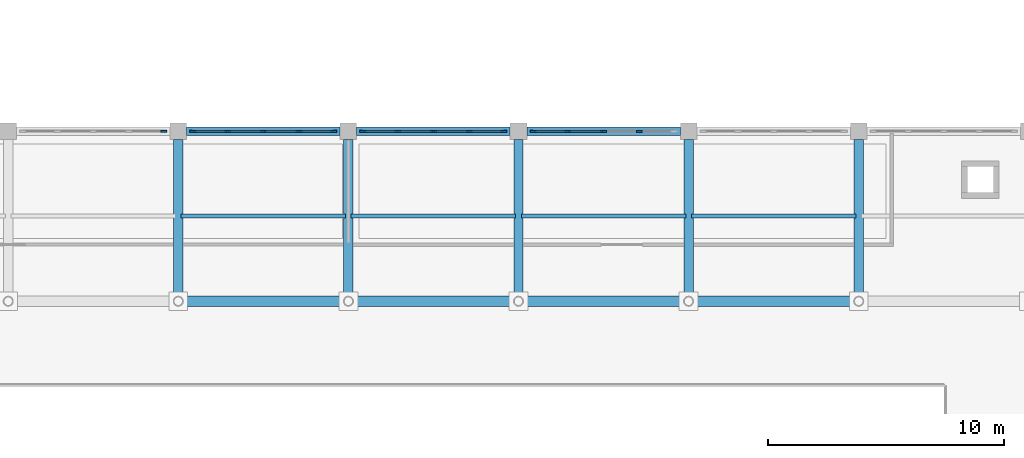
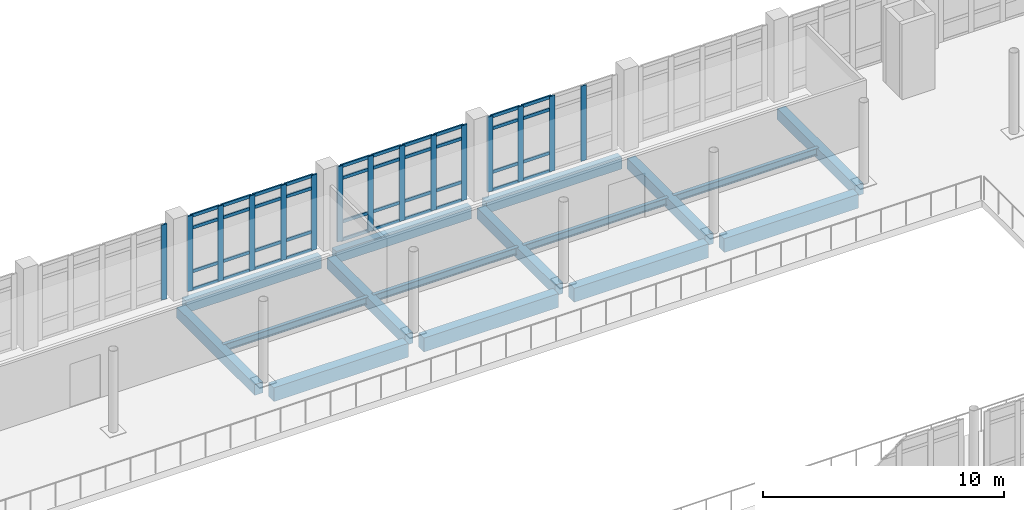
# One storey, part 20 of 62: 55 members, 16 beams, 4 elements without a shape of their own.
"""IFC4 building model written with IfcOpenShell, lengths in metres."""

from ifc_helpers import new_model, si_unit, direction, frame, origin, origin_2d, place, context, subcontext, project, spatial, rectangle, i_section, extrude, material, layer, layer_set, material_profile, profile_set, type_object, element, aggregate, save


model = new_model("IFC4")

# Units and contexts
model_context = context("Model", 3, precision=1e-05, world=origin(), true_north=direction((0.0, 1.0)))
body_context = subcontext(model_context, "Body", "Model", "MODEL_VIEW")
ifc_project = project(units=[si_unit("LENGTHUNIT", "METRE"), si_unit("AREAUNIT", "SQUARE_METRE"), si_unit("VOLUMEUNIT", "CUBIC_METRE"), si_unit("PLANEANGLEUNIT", "RADIAN"), si_unit("MASSUNIT", "GRAM", prefix="KILO")], contexts=[model_context])

# Site, building, storey
site_placement = place(None, origin())
site = spatial("IfcSite", under=ifc_project, at=site_placement, CompositionType="ELEMENT")
building_placement = place(site_placement, origin())
building = spatial("IfcBuilding", under=site, at=building_placement, Name="Valkovuoma Quantum and Materials Research Institute", CompositionType="ELEMENT")
storey_placement = place(building_placement, frame((0.0, 0.0, 8.9599609375)))
storey = spatial("IfcBuildingStorey", under=building, at=storey_placement, Name="L02", CompositionType="ELEMENT", Elevation=8.9599609375)

# Beams
ifc_material_1 = material(Name="Steel S355J2", Category="steel")
ifc_material_profile_1 = material_profile(ifc_material_1, i_section(OverallWidth=0.169921875, OverallDepth=0.360107421875, WebThickness=0.008056640625, FlangeThickness=0.0126953125, FilletRadius=0.01806640625, at=origin_2d()), Name="Steel S355J2")
ifc_profile_set_1 = profile_set([ifc_material_profile_1], Name="Steel S355J2")
beam_type_1 = type_object("IfcBeamType", Name="Beam-B-JST360", PredefinedType="JOIST", material=ifc_profile_set_1)
for number, where, z_axis, x_axis, name in (
    (1, (64.919921875, 61.199951171875, -0.530029296875), (1.0, 0.0, 0.0), (0.0, 1.0, 0.0), "L02 floor joist 1350"),
    (2, (72.1201171875, 61.199951171875, -0.530029296875), (1.0, 0.0, 0.0), (0.0, 1.0, 0.0), "L02 floor joist 1351"),
    (3, (79.320068359375, 61.199951171875, -0.530029296875), (1.0, 0.0, 0.0), (0.0, 1.0, 0.0), "L02 floor joist 1352"),
    (4, (86.52001953125, 61.199951171875, -0.530029296875), (1.0, 0.0, 0.0), (0.0, 1.0, 0.0), "L02 floor joist 1353"),
):
    element("IfcBeam", number, at=place(storey_placement, frame(where, z_axis=z_axis, x_axis=x_axis)), inside=storey, type_object=beam_type_1, Name=name, PredefinedType="JOIST", context=body_context, shape_type="SweptSolid", body=[
        extrude(i_section(OverallWidth=0.169921875, OverallDepth=0.360107421875, WebThickness=0.008056640625, FlangeThickness=0.0126953125, FilletRadius=0.01806640625, at=origin_2d()), origin(), (0.0, 0.0, 1.0), 6.9599609375),
    ])
ifc_material_2 = material(Name="Concrete C40/50", Category="concrete")
ifc_material_profile_2 = material_profile(ifc_material_2, rectangle(XDim=0.39990234375, YDim=0.550048828125, at=origin_2d()), Name="Concrete C40/50")
ifc_profile_set_2 = profile_set([ifc_material_profile_2], Name="Concrete C40/50")
beam_type_2 = type_object("IfcBeamType", Name="Beam-B-RC550", PredefinedType="BEAM", material=ifc_profile_set_2)
for number, where, z_axis, x_axis, name in (
    (5, (64.800048828125, 57.97509765625, -0.625), (0.0, 1.0, 0.0), (-1.0, 0.0, 0.0), "L02 beam Y-1212"),
    (6, (72.0, 57.97509765625, -0.625), (0.0, 1.0, 0.0), (-1.0, 0.0, 0.0), "L02 beam Y-1213"),
    (7, (79.199951171875, 57.97509765625, -0.625), (0.0, 1.0, 0.0), (-1.0, 0.0, 0.0), "L02 beam Y-1214"),
    (8, (86.39990234375, 57.97509765625, -0.625), (0.0, 1.0, 0.0), (-1.0, 0.0, 0.0), "L02 beam Y-1215"),
    (9, (93.60009765625, 57.97509765625, -0.625), (0.0, 1.0, 0.0), (-1.0, 0.0, 0.0), "L02 beam Y-1216"),
):
    element("IfcBeam", number, at=place(storey_placement, frame(where, z_axis=z_axis, x_axis=x_axis)), inside=storey, type_object=beam_type_2, Name=name, PredefinedType="BEAM", context=body_context, shape_type="SweptSolid", body=[
        extrude(rectangle(XDim=0.39990234375, YDim=0.550048828125, at=origin_2d()), origin(), (0.0, 0.0, 1.0), 6.474853515625),
    ])
ifc_material_3 = material(Name="Concrete C40/50", Category="concrete")
ifc_material_profile_3 = material_profile(ifc_material_3, rectangle(XDim=0.449951171875, YDim=0.699951171875, at=origin_2d()), Name="Concrete C40/50")
ifc_profile_set_3 = profile_set([ifc_material_profile_3], Name="Concrete C40/50")
beam_type_3 = type_object("IfcBeamType", Name="Beam-B-RC700", PredefinedType="BEAM", material=ifc_profile_set_3)
for number, where, z_axis, x_axis, name in (
    (10, (65.175048828125, 57.60009765625, -0.699951171875), (1.0, 0.0, 0.0), (0.0, 1.0, 0.0), "L02 beam X-1054"),
    (11, (72.375, 57.60009765625, -0.699951171875), (1.0, 0.0, 0.0), (0.0, 1.0, 0.0), "L02 beam X-1055"),
    (12, (79.574951171875, 57.60009765625, -0.699951171875), (1.0, 0.0, 0.0), (0.0, 1.0, 0.0), "L02 beam X-1056"),
):
    element("IfcBeam", number, at=place(storey_placement, frame(where, z_axis=z_axis, x_axis=x_axis)), inside=storey, type_object=beam_type_3, Name=name, PredefinedType="BEAM", context=body_context, shape_type="SweptSolid", body=[
        extrude(rectangle(XDim=0.449951171875, YDim=0.699951171875, at=origin_2d()), origin(), (0.0, 0.0, 1.0), 6.449951171875),
    ])
beam_placement = place(storey_placement, frame((86.77490234375, 57.60009765625, -0.699951171875), z_axis=(1.0, 0.0, 0.0), x_axis=(0.0, 1.0, 0.0)))
element("IfcBeam", 13, at=beam_placement, inside=storey, type_object=beam_type_3, Name="L02 beam X-1057", PredefinedType="BEAM", context=body_context, shape_type="SweptSolid", body=[
    extrude(rectangle(XDim=0.449951171875, YDim=0.699951171875, at=origin_2d()), origin(), (0.0, 0.0, 1.0), 6.4501953125),
])
ifc_material_4 = material(Name="Concrete C40/50", Category="concrete")
ifc_material_profile_4 = material_profile(ifc_material_4, rectangle(XDim=0.35009765625, YDim=0.60009765625, at=origin_2d()), Name="Concrete C40/50")
ifc_profile_set_4 = profile_set([ifc_material_profile_4], Name="Concrete C40/50")
beam_type_4 = type_object("IfcBeamType", Name="Beam-B-SPN600", PredefinedType="SPANDREL", material=ifc_profile_set_4)
for number, where, z_axis, x_axis, name in (
    (14, (65.14990234375, 64.800048828125, -0.64990234375), (1.0, 0.0, 0.0), (0.0, 1.0, 0.0), "L02 beam X-1074"),
    (15, (72.35009765625, 64.800048828125, -0.64990234375), (1.0, 0.0, 0.0), (0.0, 1.0, 0.0), "L02 beam X-1075"),
    (16, (79.550048828125, 64.800048828125, -0.64990234375), (1.0, 0.0, 0.0), (0.0, 1.0, 0.0), "L02 beam X-1076"),
):
    element("IfcBeam", number, at=place(storey_placement, frame(where, z_axis=z_axis, x_axis=x_axis)), inside=storey, type_object=beam_type_4, Name=name, PredefinedType="SPANDREL", context=body_context, shape_type="SweptSolid", body=[
        extrude(rectangle(XDim=0.35009765625, YDim=0.60009765625, at=origin_2d()), origin(), (0.0, 0.0, 1.0), 6.5),
    ])

# Curtain wall, member
ifc_material_5 = material(Name="Thermally broken aluminium and triple low-E glazing", Category="aluminium")
ifc_layer = layer(ifc_material_5, 0.219970703125)
ifc_layer_set = layer_set([ifc_layer], Name="Thermally broken aluminium and triple low-E glazing")
curtain_wall_type = type_object("IfcCurtainWallType", Name="CW-CW-02", PredefinedType="NOTDEFINED", material=ifc_layer_set)
curtain_wall_1_placement = place(storey_placement, origin())
curtain_wall_1 = element("IfcCurtainWall", 17, at=curtain_wall_1_placement, inside=storey, type_object=curtain_wall_type, Name="L02 curtain wall 192", PredefinedType="NOTDEFINED")
ifc_material_6 = material(Name="Anodised aluminium 6060-T66", Category="aluminium")
ifc_material_profile_5 = material_profile(ifc_material_6, rectangle(XDim=0.080078125, YDim=0.260009765625, at=origin_2d()), Name="Anodised aluminium 6060-T66")
ifc_profile_set_5 = profile_set([ifc_material_profile_5], Name="Anodised aluminium 6060-T66")
member_type_1 = type_object("IfcMemberType", Name="CWMull-CWM-03", PredefinedType="MULLION", material=ifc_profile_set_5)
member_1_placement = place(storey_placement, frame((64.179931640625, 64.800048828125, 0.0), z_axis=(0.0, 0.0, 1.0), x_axis=(0.0, 1.0, 0.0)))
member_1 = element("IfcMember", 18, at=member_1_placement, type_object=member_type_1, Name="CW-02 mullion 5", PredefinedType="MULLION", context=body_context, shape_type="SweptSolid", body=[
    extrude(rectangle(XDim=0.080078125, YDim=0.260009765625, at=origin_2d()), origin(), (0.0, 0.0, 1.0), 3.81005859375),
])
aggregate(curtain_wall_1, [member_1])

# Curtain wall, members
curtain_wall_2_placement = place(storey_placement, origin())
curtain_wall_2 = element("IfcCurtainWall", 19, at=curtain_wall_2_placement, inside=storey, type_object=curtain_wall_type, Name="L02 curtain wall 193", PredefinedType="NOTDEFINED")
member_2_placement = place(storey_placement, frame((65.419921875, 64.800048828125, 0.0), z_axis=(0.0, 0.0, 1.0), x_axis=(0.0, 1.0, 0.0)))
member_2 = element("IfcMember", 20, at=member_2_placement, type_object=member_type_1, Name="CW-02 mullion 1", PredefinedType="MULLION", context=body_context, shape_type="SweptSolid", body=[
    extrude(rectangle(XDim=0.080078125, YDim=0.260009765625, at=origin_2d()), origin(), (0.0, 0.0, 1.0), 3.81005859375),
])
member_3_placement = place(storey_placement, frame((66.889892578125, 64.800048828125, 0.0), z_axis=(0.0, 0.0, 1.0), x_axis=(0.0, 1.0, 0.0)))
member_3 = element("IfcMember", 21, at=member_3_placement, type_object=member_type_1, Name="CW-02 mullion 2", PredefinedType="MULLION", context=body_context, shape_type="SweptSolid", body=[
    extrude(rectangle(XDim=0.080078125, YDim=0.260009765625, at=origin_2d()), origin(), (0.0, 0.0, 1.0), 3.81005859375),
])
member_4_placement = place(storey_placement, frame((68.39990234375, 64.800048828125, 0.0), z_axis=(0.0, 0.0, 1.0), x_axis=(0.0, 1.0, 0.0)))
member_4 = element("IfcMember", 22, at=member_4_placement, type_object=member_type_1, Name="CW-02 mullion 3", PredefinedType="MULLION", context=body_context, shape_type="SweptSolid", body=[
    extrude(rectangle(XDim=0.080078125, YDim=0.260009765625, at=origin_2d()), origin(), (0.0, 0.0, 1.0), 3.81005859375),
])
member_5_placement = place(storey_placement, frame((69.909912109375, 64.800048828125, 0.0), z_axis=(0.0, 0.0, 1.0), x_axis=(0.0, 1.0, 0.0)))
member_5 = element("IfcMember", 23, at=member_5_placement, type_object=member_type_1, Name="CW-02 mullion 4", PredefinedType="MULLION", context=body_context, shape_type="SweptSolid", body=[
    extrude(rectangle(XDim=0.080078125, YDim=0.260009765625, at=origin_2d()), origin(), (0.0, 0.0, 1.0), 3.81005859375),
])
member_6_placement = place(storey_placement, frame((71.3798828125, 64.800048828125, 0.0), z_axis=(0.0, 0.0, 1.0), x_axis=(0.0, 1.0, 0.0)))
member_6 = element("IfcMember", 24, at=member_6_placement, type_object=member_type_1, Name="CW-02 mullion 5", PredefinedType="MULLION", context=body_context, shape_type="SweptSolid", body=[
    extrude(rectangle(XDim=0.080078125, YDim=0.260009765625, at=origin_2d()), origin(), (0.0, 0.0, 1.0), 3.81005859375),
])

curtain_wall_3_placement = place(storey_placement, origin())
curtain_wall_3 = element("IfcCurtainWall", 25, at=curtain_wall_3_placement, inside=storey, type_object=curtain_wall_type, Name="L02 curtain wall 194", PredefinedType="NOTDEFINED")
member_7_placement = place(storey_placement, frame((72.6201171875, 64.800048828125, 0.0), z_axis=(0.0, 0.0, 1.0), x_axis=(0.0, 1.0, 0.0)))
member_7 = element("IfcMember", 26, at=member_7_placement, type_object=member_type_1, Name="CW-02 mullion 1", PredefinedType="MULLION", context=body_context, shape_type="SweptSolid", body=[
    extrude(rectangle(XDim=0.080078125, YDim=0.260009765625, at=origin_2d()), origin(), (0.0, 0.0, 1.0), 3.81005859375),
])
member_8_placement = place(storey_placement, frame((74.090087890625, 64.800048828125, 0.0), z_axis=(0.0, 0.0, 1.0), x_axis=(0.0, 1.0, 0.0)))
member_8 = element("IfcMember", 27, at=member_8_placement, type_object=member_type_1, Name="CW-02 mullion 2", PredefinedType="MULLION", context=body_context, shape_type="SweptSolid", body=[
    extrude(rectangle(XDim=0.080078125, YDim=0.260009765625, at=origin_2d()), origin(), (0.0, 0.0, 1.0), 3.81005859375),
])
member_9_placement = place(storey_placement, frame((75.60009765625, 64.800048828125, 0.0), z_axis=(0.0, 0.0, 1.0), x_axis=(0.0, 1.0, 0.0)))
member_9 = element("IfcMember", 28, at=member_9_placement, type_object=member_type_1, Name="CW-02 mullion 3", PredefinedType="MULLION", context=body_context, shape_type="SweptSolid", body=[
    extrude(rectangle(XDim=0.080078125, YDim=0.260009765625, at=origin_2d()), origin(), (0.0, 0.0, 1.0), 3.81005859375),
])
member_10_placement = place(storey_placement, frame((77.110107421875, 64.800048828125, 0.0), z_axis=(0.0, 0.0, 1.0), x_axis=(0.0, 1.0, 0.0)))
member_10 = element("IfcMember", 29, at=member_10_placement, type_object=member_type_1, Name="CW-02 mullion 4", PredefinedType="MULLION", context=body_context, shape_type="SweptSolid", body=[
    extrude(rectangle(XDim=0.080078125, YDim=0.260009765625, at=origin_2d()), origin(), (0.0, 0.0, 1.0), 3.81005859375),
])
member_11_placement = place(storey_placement, frame((78.580078125, 64.800048828125, 0.0), z_axis=(0.0, 0.0, 1.0), x_axis=(0.0, 1.0, 0.0)))
member_11 = element("IfcMember", 30, at=member_11_placement, type_object=member_type_1, Name="CW-02 mullion 5", PredefinedType="MULLION", context=body_context, shape_type="SweptSolid", body=[
    extrude(rectangle(XDim=0.080078125, YDim=0.260009765625, at=origin_2d()), origin(), (0.0, 0.0, 1.0), 3.81005859375),
])

curtain_wall_4_placement = place(storey_placement, origin())
curtain_wall_4 = element("IfcCurtainWall", 31, at=curtain_wall_4_placement, inside=storey, type_object=curtain_wall_type, Name="L02 curtain wall 195", PredefinedType="NOTDEFINED")
member_12_placement = place(storey_placement, frame((79.820068359375, 64.800048828125, 0.0), z_axis=(0.0, 0.0, 1.0), x_axis=(0.0, 1.0, 0.0)))
member_12 = element("IfcMember", 32, at=member_12_placement, type_object=member_type_1, Name="CW-02 mullion 1", PredefinedType="MULLION", context=body_context, shape_type="SweptSolid", body=[
    extrude(rectangle(XDim=0.080078125, YDim=0.260009765625, at=origin_2d()), origin(), (0.0, 0.0, 1.0), 3.81005859375),
])
member_13_placement = place(storey_placement, frame((81.2900390625, 64.800048828125, 0.0), z_axis=(0.0, 0.0, 1.0), x_axis=(0.0, 1.0, 0.0)))
member_13 = element("IfcMember", 33, at=member_13_placement, type_object=member_type_1, Name="CW-02 mullion 2", PredefinedType="MULLION", context=body_context, shape_type="SweptSolid", body=[
    extrude(rectangle(XDim=0.080078125, YDim=0.260009765625, at=origin_2d()), origin(), (0.0, 0.0, 1.0), 3.81005859375),
])
member_14_placement = place(storey_placement, frame((82.800048828125, 64.800048828125, 0.0), z_axis=(0.0, 0.0, 1.0), x_axis=(0.0, 1.0, 0.0)))
member_14 = element("IfcMember", 34, at=member_14_placement, type_object=member_type_1, Name="CW-02 mullion 3", PredefinedType="MULLION", context=body_context, shape_type="SweptSolid", body=[
    extrude(rectangle(XDim=0.080078125, YDim=0.260009765625, at=origin_2d()), origin(), (0.0, 0.0, 1.0), 3.81005859375),
])
member_15_placement = place(storey_placement, frame((84.31005859375, 64.800048828125, 0.0), z_axis=(0.0, 0.0, 1.0), x_axis=(0.0, 1.0, 0.0)))
member_15 = element("IfcMember", 35, at=member_15_placement, type_object=member_type_1, Name="CW-02 mullion 4", PredefinedType="MULLION", context=body_context, shape_type="SweptSolid", body=[
    extrude(rectangle(XDim=0.080078125, YDim=0.260009765625, at=origin_2d()), origin(), (0.0, 0.0, 1.0), 3.81005859375),
])

# Member
ifc_material_7 = material(Name="Anodised aluminium 6060-T66", Category="aluminium")
ifc_material_profile_6 = material_profile(ifc_material_7, rectangle(XDim=0.074951171875, YDim=0.159912109375, at=origin_2d()), Name="Anodised aluminium 6060-T66")
ifc_profile_set_6 = profile_set([ifc_material_profile_6], Name="Anodised aluminium 6060-T66")
member_type_2 = type_object("IfcMemberType", Name="CWTran-CWT-02", PredefinedType="USERDEFINED", material=ifc_profile_set_6)
member_16_placement = place(storey_placement, frame((65.4599609375, 64.800048828125, 0.03759765625), z_axis=(1.0, 0.0, 0.0), x_axis=(0.0, 1.0, 0.0)))
member_16 = element("IfcMember", 36, at=member_16_placement, type_object=member_type_2, Name="CW-02 transom 1.1", ObjectType="TRANSOM", PredefinedType="USERDEFINED", context=body_context, shape_type="SweptSolid", body=[
    extrude(rectangle(XDim=0.074951171875, YDim=0.159912109375, at=origin_2d()), origin(), (0.0, 0.0, 1.0), 1.39013671875),
])

member_17_placement = place(storey_placement, frame((65.4599609375, 64.800048828125, 0.949951171875), z_axis=(1.0, 0.0, 0.0), x_axis=(0.0, 1.0, 0.0)))
member_17 = element("IfcMember", 37, at=member_17_placement, type_object=member_type_2, Name="CW-02 transom 1.2", ObjectType="TRANSOM", PredefinedType="USERDEFINED", context=body_context, shape_type="SweptSolid", body=[
    extrude(rectangle(XDim=0.074951171875, YDim=0.159912109375, at=origin_2d()), origin(), (0.0, 0.0, 1.0), 1.39013671875),
])

member_18_placement = place(storey_placement, frame((65.4599609375, 64.800048828125, 3.16015625), z_axis=(1.0, 0.0, 0.0), x_axis=(0.0, 1.0, 0.0)))
member_18 = element("IfcMember", 38, at=member_18_placement, type_object=member_type_2, Name="CW-02 transom 1.3", ObjectType="TRANSOM", PredefinedType="USERDEFINED", context=body_context, shape_type="SweptSolid", body=[
    extrude(rectangle(XDim=0.074951171875, YDim=0.159912109375, at=origin_2d()), origin(), (0.0, 0.0, 1.0), 1.39013671875),
])

member_19_placement = place(storey_placement, frame((65.4599609375, 64.800048828125, 3.7724609375), z_axis=(1.0, 0.0, 0.0), x_axis=(0.0, 1.0, 0.0)))
member_19 = element("IfcMember", 39, at=member_19_placement, type_object=member_type_2, Name="CW-02 transom 1.4", ObjectType="TRANSOM", PredefinedType="USERDEFINED", context=body_context, shape_type="SweptSolid", body=[
    extrude(rectangle(XDim=0.074951171875, YDim=0.159912109375, at=origin_2d()), origin(), (0.0, 0.0, 1.0), 1.39013671875),
])

member_20_placement = place(storey_placement, frame((66.929931640625, 64.800048828125, 0.03759765625), z_axis=(1.0, 0.0, 0.0), x_axis=(0.0, 1.0, 0.0)))
member_20 = element("IfcMember", 40, at=member_20_placement, type_object=member_type_2, Name="CW-02 transom 2.1", ObjectType="TRANSOM", PredefinedType="USERDEFINED", context=body_context, shape_type="SweptSolid", body=[
    extrude(rectangle(XDim=0.074951171875, YDim=0.159912109375, at=origin_2d()), origin(), (0.0, 0.0, 1.0), 1.43017578125),
])

member_21_placement = place(storey_placement, frame((66.929931640625, 64.800048828125, 0.949951171875), z_axis=(1.0, 0.0, 0.0), x_axis=(0.0, 1.0, 0.0)))
member_21 = element("IfcMember", 41, at=member_21_placement, type_object=member_type_2, Name="CW-02 transom 2.2", ObjectType="TRANSOM", PredefinedType="USERDEFINED", context=body_context, shape_type="SweptSolid", body=[
    extrude(rectangle(XDim=0.074951171875, YDim=0.159912109375, at=origin_2d()), origin(), (0.0, 0.0, 1.0), 1.43017578125),
])

member_22_placement = place(storey_placement, frame((66.929931640625, 64.800048828125, 3.16015625), z_axis=(1.0, 0.0, 0.0), x_axis=(0.0, 1.0, 0.0)))
member_22 = element("IfcMember", 42, at=member_22_placement, type_object=member_type_2, Name="CW-02 transom 2.3", ObjectType="TRANSOM", PredefinedType="USERDEFINED", context=body_context, shape_type="SweptSolid", body=[
    extrude(rectangle(XDim=0.074951171875, YDim=0.159912109375, at=origin_2d()), origin(), (0.0, 0.0, 1.0), 1.43017578125),
])

member_23_placement = place(storey_placement, frame((66.929931640625, 64.800048828125, 3.7724609375), z_axis=(1.0, 0.0, 0.0), x_axis=(0.0, 1.0, 0.0)))
member_23 = element("IfcMember", 43, at=member_23_placement, type_object=member_type_2, Name="CW-02 transom 2.4", ObjectType="TRANSOM", PredefinedType="USERDEFINED", context=body_context, shape_type="SweptSolid", body=[
    extrude(rectangle(XDim=0.074951171875, YDim=0.159912109375, at=origin_2d()), origin(), (0.0, 0.0, 1.0), 1.43017578125),
])

member_24_placement = place(storey_placement, frame((68.43994140625, 64.800048828125, 0.03759765625), z_axis=(1.0, 0.0, 0.0), x_axis=(0.0, 1.0, 0.0)))
member_24 = element("IfcMember", 44, at=member_24_placement, type_object=member_type_2, Name="CW-02 transom 3.1", ObjectType="TRANSOM", PredefinedType="USERDEFINED", context=body_context, shape_type="SweptSolid", body=[
    extrude(rectangle(XDim=0.074951171875, YDim=0.159912109375, at=origin_2d()), origin(), (0.0, 0.0, 1.0), 1.43017578125),
])

member_25_placement = place(storey_placement, frame((68.43994140625, 64.800048828125, 0.949951171875), z_axis=(1.0, 0.0, 0.0), x_axis=(0.0, 1.0, 0.0)))
member_25 = element("IfcMember", 45, at=member_25_placement, type_object=member_type_2, Name="CW-02 transom 3.2", ObjectType="TRANSOM", PredefinedType="USERDEFINED", context=body_context, shape_type="SweptSolid", body=[
    extrude(rectangle(XDim=0.074951171875, YDim=0.159912109375, at=origin_2d()), origin(), (0.0, 0.0, 1.0), 1.43017578125),
])

member_26_placement = place(storey_placement, frame((68.43994140625, 64.800048828125, 3.16015625), z_axis=(1.0, 0.0, 0.0), x_axis=(0.0, 1.0, 0.0)))
member_26 = element("IfcMember", 46, at=member_26_placement, type_object=member_type_2, Name="CW-02 transom 3.3", ObjectType="TRANSOM", PredefinedType="USERDEFINED", context=body_context, shape_type="SweptSolid", body=[
    extrude(rectangle(XDim=0.074951171875, YDim=0.159912109375, at=origin_2d()), origin(), (0.0, 0.0, 1.0), 1.43017578125),
])

member_27_placement = place(storey_placement, frame((68.43994140625, 64.800048828125, 3.7724609375), z_axis=(1.0, 0.0, 0.0), x_axis=(0.0, 1.0, 0.0)))
member_27 = element("IfcMember", 47, at=member_27_placement, type_object=member_type_2, Name="CW-02 transom 3.4", ObjectType="TRANSOM", PredefinedType="USERDEFINED", context=body_context, shape_type="SweptSolid", body=[
    extrude(rectangle(XDim=0.074951171875, YDim=0.159912109375, at=origin_2d()), origin(), (0.0, 0.0, 1.0), 1.43017578125),
])

member_28_placement = place(storey_placement, frame((69.949951171875, 64.800048828125, 0.03759765625), z_axis=(1.0, 0.0, 0.0), x_axis=(0.0, 1.0, 0.0)))
member_28 = element("IfcMember", 48, at=member_28_placement, type_object=member_type_2, Name="CW-02 transom 4.1", ObjectType="TRANSOM", PredefinedType="USERDEFINED", context=body_context, shape_type="SweptSolid", body=[
    extrude(rectangle(XDim=0.074951171875, YDim=0.159912109375, at=origin_2d()), origin(), (0.0, 0.0, 1.0), 1.39013671875),
])

member_29_placement = place(storey_placement, frame((69.949951171875, 64.800048828125, 0.949951171875), z_axis=(1.0, 0.0, 0.0), x_axis=(0.0, 1.0, 0.0)))
member_29 = element("IfcMember", 49, at=member_29_placement, type_object=member_type_2, Name="CW-02 transom 4.2", ObjectType="TRANSOM", PredefinedType="USERDEFINED", context=body_context, shape_type="SweptSolid", body=[
    extrude(rectangle(XDim=0.074951171875, YDim=0.159912109375, at=origin_2d()), origin(), (0.0, 0.0, 1.0), 1.39013671875),
])

member_30_placement = place(storey_placement, frame((69.949951171875, 64.800048828125, 3.16015625), z_axis=(1.0, 0.0, 0.0), x_axis=(0.0, 1.0, 0.0)))
member_30 = element("IfcMember", 50, at=member_30_placement, type_object=member_type_2, Name="CW-02 transom 4.3", ObjectType="TRANSOM", PredefinedType="USERDEFINED", context=body_context, shape_type="SweptSolid", body=[
    extrude(rectangle(XDim=0.074951171875, YDim=0.159912109375, at=origin_2d()), origin(), (0.0, 0.0, 1.0), 1.39013671875),
])

member_31_placement = place(storey_placement, frame((69.949951171875, 64.800048828125, 3.7724609375), z_axis=(1.0, 0.0, 0.0), x_axis=(0.0, 1.0, 0.0)))
member_31 = element("IfcMember", 51, at=member_31_placement, type_object=member_type_2, Name="CW-02 transom 4.4", ObjectType="TRANSOM", PredefinedType="USERDEFINED", context=body_context, shape_type="SweptSolid", body=[
    extrude(rectangle(XDim=0.074951171875, YDim=0.159912109375, at=origin_2d()), origin(), (0.0, 0.0, 1.0), 1.39013671875),
])

aggregate(curtain_wall_2, [member_2, member_3, member_4, member_5, member_6, member_16, member_17, member_18, member_19, member_20, member_21, member_22, member_23, member_24, member_25, member_26, member_27, member_28, member_29, member_30, member_31])

member_32_placement = place(storey_placement, frame((72.659912109375, 64.800048828125, 0.03759765625), z_axis=(1.0, 0.0, 0.0), x_axis=(0.0, 1.0, 0.0)))
member_32 = element("IfcMember", 52, at=member_32_placement, type_object=member_type_2, Name="CW-02 transom 1.1", ObjectType="TRANSOM", PredefinedType="USERDEFINED", context=body_context, shape_type="SweptSolid", body=[
    extrude(rectangle(XDim=0.074951171875, YDim=0.159912109375, at=origin_2d()), origin(), (0.0, 0.0, 1.0), 1.39013671875),
])

member_33_placement = place(storey_placement, frame((72.659912109375, 64.800048828125, 0.949951171875), z_axis=(1.0, 0.0, 0.0), x_axis=(0.0, 1.0, 0.0)))
member_33 = element("IfcMember", 53, at=member_33_placement, type_object=member_type_2, Name="CW-02 transom 1.2", ObjectType="TRANSOM", PredefinedType="USERDEFINED", context=body_context, shape_type="SweptSolid", body=[
    extrude(rectangle(XDim=0.074951171875, YDim=0.159912109375, at=origin_2d()), origin(), (0.0, 0.0, 1.0), 1.39013671875),
])

member_34_placement = place(storey_placement, frame((72.659912109375, 64.800048828125, 3.16015625), z_axis=(1.0, 0.0, 0.0), x_axis=(0.0, 1.0, 0.0)))
member_34 = element("IfcMember", 54, at=member_34_placement, type_object=member_type_2, Name="CW-02 transom 1.3", ObjectType="TRANSOM", PredefinedType="USERDEFINED", context=body_context, shape_type="SweptSolid", body=[
    extrude(rectangle(XDim=0.074951171875, YDim=0.159912109375, at=origin_2d()), origin(), (0.0, 0.0, 1.0), 1.39013671875),
])

member_35_placement = place(storey_placement, frame((72.659912109375, 64.800048828125, 3.7724609375), z_axis=(1.0, 0.0, 0.0), x_axis=(0.0, 1.0, 0.0)))
member_35 = element("IfcMember", 55, at=member_35_placement, type_object=member_type_2, Name="CW-02 transom 1.4", ObjectType="TRANSOM", PredefinedType="USERDEFINED", context=body_context, shape_type="SweptSolid", body=[
    extrude(rectangle(XDim=0.074951171875, YDim=0.159912109375, at=origin_2d()), origin(), (0.0, 0.0, 1.0), 1.39013671875),
])

member_36_placement = place(storey_placement, frame((74.1298828125, 64.800048828125, 0.03759765625), z_axis=(1.0, 0.0, 0.0), x_axis=(0.0, 1.0, 0.0)))
member_36 = element("IfcMember", 56, at=member_36_placement, type_object=member_type_2, Name="CW-02 transom 2.1", ObjectType="TRANSOM", PredefinedType="USERDEFINED", context=body_context, shape_type="SweptSolid", body=[
    extrude(rectangle(XDim=0.074951171875, YDim=0.159912109375, at=origin_2d()), origin(), (0.0, 0.0, 1.0), 1.43017578125),
])

member_37_placement = place(storey_placement, frame((74.1298828125, 64.800048828125, 0.949951171875), z_axis=(1.0, 0.0, 0.0), x_axis=(0.0, 1.0, 0.0)))
member_37 = element("IfcMember", 57, at=member_37_placement, type_object=member_type_2, Name="CW-02 transom 2.2", ObjectType="TRANSOM", PredefinedType="USERDEFINED", context=body_context, shape_type="SweptSolid", body=[
    extrude(rectangle(XDim=0.074951171875, YDim=0.159912109375, at=origin_2d()), origin(), (0.0, 0.0, 1.0), 1.43017578125),
])

member_38_placement = place(storey_placement, frame((74.1298828125, 64.800048828125, 3.16015625), z_axis=(1.0, 0.0, 0.0), x_axis=(0.0, 1.0, 0.0)))
member_38 = element("IfcMember", 58, at=member_38_placement, type_object=member_type_2, Name="CW-02 transom 2.3", ObjectType="TRANSOM", PredefinedType="USERDEFINED", context=body_context, shape_type="SweptSolid", body=[
    extrude(rectangle(XDim=0.074951171875, YDim=0.159912109375, at=origin_2d()), origin(), (0.0, 0.0, 1.0), 1.43017578125),
])

member_39_placement = place(storey_placement, frame((74.1298828125, 64.800048828125, 3.7724609375), z_axis=(1.0, 0.0, 0.0), x_axis=(0.0, 1.0, 0.0)))
member_39 = element("IfcMember", 59, at=member_39_placement, type_object=member_type_2, Name="CW-02 transom 2.4", ObjectType="TRANSOM", PredefinedType="USERDEFINED", context=body_context, shape_type="SweptSolid", body=[
    extrude(rectangle(XDim=0.074951171875, YDim=0.159912109375, at=origin_2d()), origin(), (0.0, 0.0, 1.0), 1.43017578125),
])

member_40_placement = place(storey_placement, frame((75.639892578125, 64.800048828125, 0.03759765625), z_axis=(1.0, 0.0, 0.0), x_axis=(0.0, 1.0, 0.0)))
member_40 = element("IfcMember", 60, at=member_40_placement, type_object=member_type_2, Name="CW-02 transom 3.1", ObjectType="TRANSOM", PredefinedType="USERDEFINED", context=body_context, shape_type="SweptSolid", body=[
    extrude(rectangle(XDim=0.074951171875, YDim=0.159912109375, at=origin_2d()), origin(), (0.0, 0.0, 1.0), 1.43017578125),
])

member_41_placement = place(storey_placement, frame((75.639892578125, 64.800048828125, 0.949951171875), z_axis=(1.0, 0.0, 0.0), x_axis=(0.0, 1.0, 0.0)))
member_41 = element("IfcMember", 61, at=member_41_placement, type_object=member_type_2, Name="CW-02 transom 3.2", ObjectType="TRANSOM", PredefinedType="USERDEFINED", context=body_context, shape_type="SweptSolid", body=[
    extrude(rectangle(XDim=0.074951171875, YDim=0.159912109375, at=origin_2d()), origin(), (0.0, 0.0, 1.0), 1.43017578125),
])

member_42_placement = place(storey_placement, frame((75.639892578125, 64.800048828125, 3.16015625), z_axis=(1.0, 0.0, 0.0), x_axis=(0.0, 1.0, 0.0)))
member_42 = element("IfcMember", 62, at=member_42_placement, type_object=member_type_2, Name="CW-02 transom 3.3", ObjectType="TRANSOM", PredefinedType="USERDEFINED", context=body_context, shape_type="SweptSolid", body=[
    extrude(rectangle(XDim=0.074951171875, YDim=0.159912109375, at=origin_2d()), origin(), (0.0, 0.0, 1.0), 1.43017578125),
])

member_43_placement = place(storey_placement, frame((75.639892578125, 64.800048828125, 3.7724609375), z_axis=(1.0, 0.0, 0.0), x_axis=(0.0, 1.0, 0.0)))
member_43 = element("IfcMember", 63, at=member_43_placement, type_object=member_type_2, Name="CW-02 transom 3.4", ObjectType="TRANSOM", PredefinedType="USERDEFINED", context=body_context, shape_type="SweptSolid", body=[
    extrude(rectangle(XDim=0.074951171875, YDim=0.159912109375, at=origin_2d()), origin(), (0.0, 0.0, 1.0), 1.43017578125),
])

member_44_placement = place(storey_placement, frame((77.14990234375, 64.800048828125, 0.03759765625), z_axis=(1.0, 0.0, 0.0), x_axis=(0.0, 1.0, 0.0)))
member_44 = element("IfcMember", 64, at=member_44_placement, type_object=member_type_2, Name="CW-02 transom 4.1", ObjectType="TRANSOM", PredefinedType="USERDEFINED", context=body_context, shape_type="SweptSolid", body=[
    extrude(rectangle(XDim=0.074951171875, YDim=0.159912109375, at=origin_2d()), origin(), (0.0, 0.0, 1.0), 1.39013671875),
])

member_45_placement = place(storey_placement, frame((77.14990234375, 64.800048828125, 0.949951171875), z_axis=(1.0, 0.0, 0.0), x_axis=(0.0, 1.0, 0.0)))
member_45 = element("IfcMember", 65, at=member_45_placement, type_object=member_type_2, Name="CW-02 transom 4.2", ObjectType="TRANSOM", PredefinedType="USERDEFINED", context=body_context, shape_type="SweptSolid", body=[
    extrude(rectangle(XDim=0.074951171875, YDim=0.159912109375, at=origin_2d()), origin(), (0.0, 0.0, 1.0), 1.39013671875),
])

member_46_placement = place(storey_placement, frame((77.14990234375, 64.800048828125, 3.16015625), z_axis=(1.0, 0.0, 0.0), x_axis=(0.0, 1.0, 0.0)))
member_46 = element("IfcMember", 66, at=member_46_placement, type_object=member_type_2, Name="CW-02 transom 4.3", ObjectType="TRANSOM", PredefinedType="USERDEFINED", context=body_context, shape_type="SweptSolid", body=[
    extrude(rectangle(XDim=0.074951171875, YDim=0.159912109375, at=origin_2d()), origin(), (0.0, 0.0, 1.0), 1.39013671875),
])

member_47_placement = place(storey_placement, frame((77.14990234375, 64.800048828125, 3.7724609375), z_axis=(1.0, 0.0, 0.0), x_axis=(0.0, 1.0, 0.0)))
member_47 = element("IfcMember", 67, at=member_47_placement, type_object=member_type_2, Name="CW-02 transom 4.4", ObjectType="TRANSOM", PredefinedType="USERDEFINED", context=body_context, shape_type="SweptSolid", body=[
    extrude(rectangle(XDim=0.074951171875, YDim=0.159912109375, at=origin_2d()), origin(), (0.0, 0.0, 1.0), 1.39013671875),
])

aggregate(curtain_wall_3, [member_7, member_8, member_9, member_10, member_11, member_32, member_33, member_34, member_35, member_36, member_37, member_38, member_39, member_40, member_41, member_42, member_43, member_44, member_45, member_46, member_47])

member_48_placement = place(storey_placement, frame((79.860107421875, 64.800048828125, 0.03759765625), z_axis=(1.0, 0.0, 0.0), x_axis=(0.0, 1.0, 0.0)))
member_48 = element("IfcMember", 68, at=member_48_placement, type_object=member_type_2, Name="CW-02 transom 1.1", ObjectType="TRANSOM", PredefinedType="USERDEFINED", context=body_context, shape_type="SweptSolid", body=[
    extrude(rectangle(XDim=0.074951171875, YDim=0.159912109375, at=origin_2d()), origin(), (0.0, 0.0, 1.0), 1.389892578125),
])

member_49_placement = place(storey_placement, frame((79.860107421875, 64.800048828125, 0.949951171875), z_axis=(1.0, 0.0, 0.0), x_axis=(0.0, 1.0, 0.0)))
member_49 = element("IfcMember", 69, at=member_49_placement, type_object=member_type_2, Name="CW-02 transom 1.2", ObjectType="TRANSOM", PredefinedType="USERDEFINED", context=body_context, shape_type="SweptSolid", body=[
    extrude(rectangle(XDim=0.074951171875, YDim=0.159912109375, at=origin_2d()), origin(), (0.0, 0.0, 1.0), 1.389892578125),
])

member_50_placement = place(storey_placement, frame((79.860107421875, 64.800048828125, 3.16015625), z_axis=(1.0, 0.0, 0.0), x_axis=(0.0, 1.0, 0.0)))
member_50 = element("IfcMember", 70, at=member_50_placement, type_object=member_type_2, Name="CW-02 transom 1.3", ObjectType="TRANSOM", PredefinedType="USERDEFINED", context=body_context, shape_type="SweptSolid", body=[
    extrude(rectangle(XDim=0.074951171875, YDim=0.159912109375, at=origin_2d()), origin(), (0.0, 0.0, 1.0), 1.389892578125),
])

member_51_placement = place(storey_placement, frame((79.860107421875, 64.800048828125, 3.7724609375), z_axis=(1.0, 0.0, 0.0), x_axis=(0.0, 1.0, 0.0)))
member_51 = element("IfcMember", 71, at=member_51_placement, type_object=member_type_2, Name="CW-02 transom 1.4", ObjectType="TRANSOM", PredefinedType="USERDEFINED", context=body_context, shape_type="SweptSolid", body=[
    extrude(rectangle(XDim=0.074951171875, YDim=0.159912109375, at=origin_2d()), origin(), (0.0, 0.0, 1.0), 1.389892578125),
])

member_52_placement = place(storey_placement, frame((81.330078125, 64.800048828125, 0.03759765625), z_axis=(1.0, 0.0, 0.0), x_axis=(0.0, 1.0, 0.0)))
member_52 = element("IfcMember", 72, at=member_52_placement, type_object=member_type_2, Name="CW-02 transom 2.1", ObjectType="TRANSOM", PredefinedType="USERDEFINED", context=body_context, shape_type="SweptSolid", body=[
    extrude(rectangle(XDim=0.074951171875, YDim=0.159912109375, at=origin_2d()), origin(), (0.0, 0.0, 1.0), 1.429931640625),
])

member_53_placement = place(storey_placement, frame((81.330078125, 64.800048828125, 0.949951171875), z_axis=(1.0, 0.0, 0.0), x_axis=(0.0, 1.0, 0.0)))
member_53 = element("IfcMember", 73, at=member_53_placement, type_object=member_type_2, Name="CW-02 transom 2.2", ObjectType="TRANSOM", PredefinedType="USERDEFINED", context=body_context, shape_type="SweptSolid", body=[
    extrude(rectangle(XDim=0.074951171875, YDim=0.159912109375, at=origin_2d()), origin(), (0.0, 0.0, 1.0), 1.429931640625),
])

member_54_placement = place(storey_placement, frame((81.330078125, 64.800048828125, 3.16015625), z_axis=(1.0, 0.0, 0.0), x_axis=(0.0, 1.0, 0.0)))
member_54 = element("IfcMember", 74, at=member_54_placement, type_object=member_type_2, Name="CW-02 transom 2.3", ObjectType="TRANSOM", PredefinedType="USERDEFINED", context=body_context, shape_type="SweptSolid", body=[
    extrude(rectangle(XDim=0.074951171875, YDim=0.159912109375, at=origin_2d()), origin(), (0.0, 0.0, 1.0), 1.429931640625),
])

member_55_placement = place(storey_placement, frame((81.330078125, 64.800048828125, 3.7724609375), z_axis=(1.0, 0.0, 0.0), x_axis=(0.0, 1.0, 0.0)))
member_55 = element("IfcMember", 75, at=member_55_placement, type_object=member_type_2, Name="CW-02 transom 2.4", ObjectType="TRANSOM", PredefinedType="USERDEFINED", context=body_context, shape_type="SweptSolid", body=[
    extrude(rectangle(XDim=0.074951171875, YDim=0.159912109375, at=origin_2d()), origin(), (0.0, 0.0, 1.0), 1.429931640625),
])

aggregate(curtain_wall_4, [member_12, member_13, member_14, member_15, member_48, member_49, member_50, member_51, member_52, member_53, member_54, member_55])

save(model, "model.ifc")
